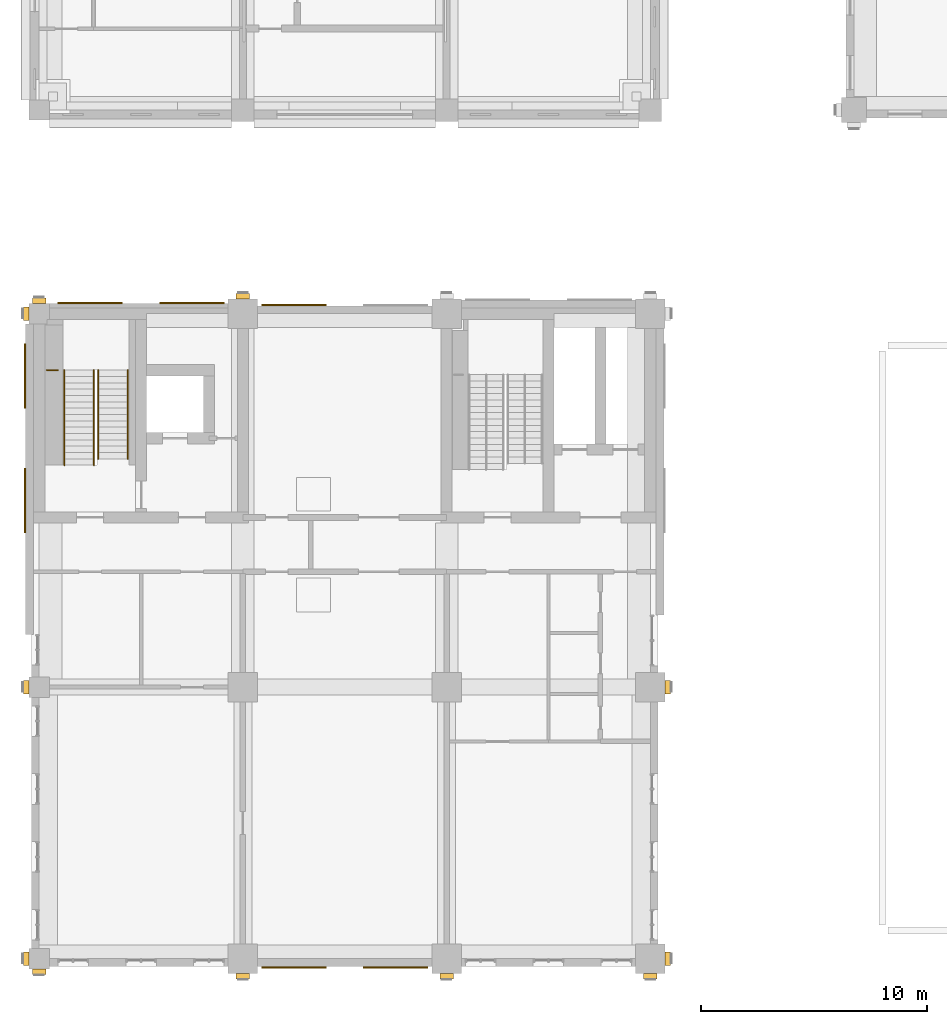
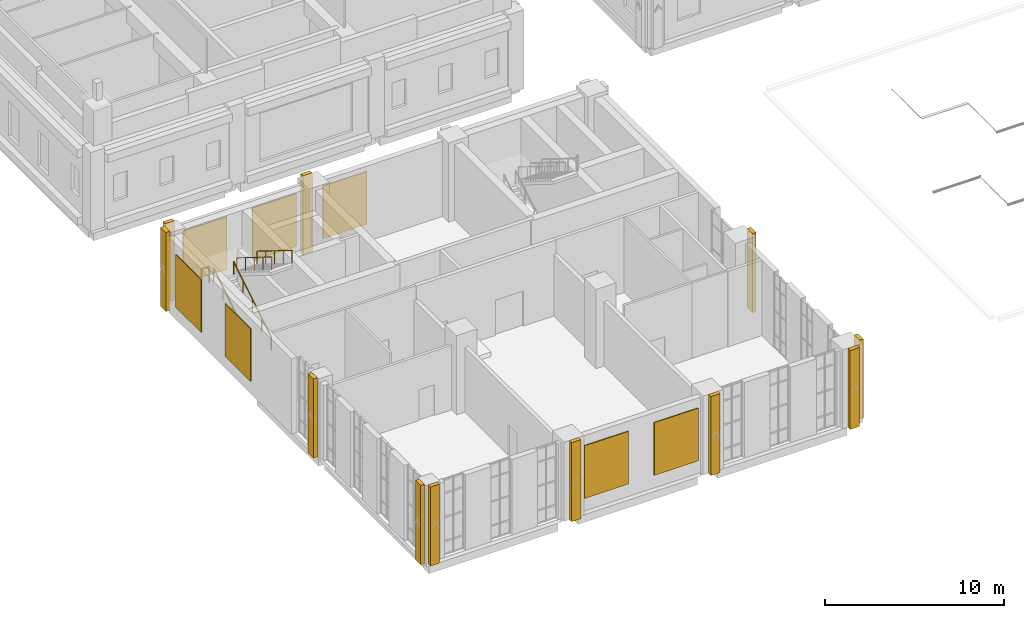
# One storey, part 27 of 37: 18 coverings, 5 railings.
"""IFC4 building model written with IfcOpenShell, lengths in metres."""

from ifc_helpers import new_model, si_unit, direction, frame, origin, origin_2d, place, context, subcontext, project, spatial, rectangle, circle, extrude, material, layer, layer_set, type_object, element, save


model = new_model("IFC4")

# Units and contexts
model_context = context("Model", 3, precision=1e-05, world=origin(), true_north=direction((0.0, 1.0)))
body_context = subcontext(model_context, "Body", "Model", "MODEL_VIEW")
ifc_project = project(units=[si_unit("LENGTHUNIT", "METRE"), si_unit("AREAUNIT", "SQUARE_METRE"), si_unit("VOLUMEUNIT", "CUBIC_METRE"), si_unit("PLANEANGLEUNIT", "RADIAN"), si_unit("MASSUNIT", "GRAM", prefix="KILO")], contexts=[model_context])

# Site, building, storey
site_placement = place(None, origin())
site = spatial("IfcSite", under=ifc_project, at=site_placement, CompositionType="ELEMENT")
building_placement = place(site_placement, origin())
building = spatial("IfcBuilding", under=site, at=building_placement, Name="Aurelan Courthouse", CompositionType="ELEMENT")
storey_placement = place(building_placement, frame((0.0, 0.0, 17.39990234375)))
storey = spatial("IfcBuildingStorey", under=building, at=storey_placement, Name="L03", CompositionType="ELEMENT", Elevation=17.39990234375)

# Coverings
ifc_material_1 = material(Name="Bronze sheet cladding")
ifc_layer = layer(ifc_material_1, 0.06005859375)
ifc_layer_set = layer_set([ifc_layer], Name="Bronze sheet cladding")
covering_type_1 = type_object("IfcCoveringType", Name="Courts' Floors blind bay 2850 x 3600", PredefinedType="CLADDING", material=ifc_layer_set)
for number, where, z_axis, x_axis, name in (
    (1, (11.25, -0.3798828125, 0.900146484375), (0.0, 0.0, 1.0), (1.0, 0.0, 0.0), "Blind bay BB-V5-L03-001"),
    (2, (15.75, -0.3798828125, 0.900146484375), (0.0, 0.0, 1.0), (1.0, 0.0, 0.0), "Blind bay BB-V5-L03-002"),
    (3, (2.25, 28.97998046875, 0.900146484375), (0.0, 0.0, 1.0), (1.0, 0.0, 0.0), "Blind bay BB-V5-L03-003"),
    (4, (6.75, 28.97998046875, 0.900146484375), (0.0, 0.0, 1.0), (1.0, 0.0, 0.0), "Blind bay BB-V5-L03-004"),
    (5, (11.25, 28.8798828125, 0.900146484375), (0.0, 0.0, 1.0), (1.0, 0.0, 0.0), "Blind bay BB-V5-L03-005"),
):
    element("IfcCovering", number, at=place(storey_placement, frame(where, z_axis=z_axis, x_axis=x_axis)), inside=storey, type_object=covering_type_1, Name=name, PredefinedType="CLADDING", context=body_context, shape_type="SweptSolid", body=[
        extrude(rectangle(XDim=2.85009765625, YDim=0.06005859375, at=origin_2d()), origin(), (0.0, 0.0, 1.0), 3.60009765625),
    ])
for number, where, z_axis, x_axis, name in (
    (6, (-0.6298828125, 20.25, 0.900146484375), (0.0, 0.0, 1.0), (1.0, 0.0, 0.0), "Blind bay BB-V5-L03-011"),
    (7, (-0.6298828125, 25.75, 0.900146484375), (0.0, 0.0, 1.0), (1.0, 0.0, 0.0), "Blind bay BB-V5-L03-012"),
):
    element("IfcCovering", number, at=place(storey_placement, frame(where, z_axis=z_axis, x_axis=x_axis)), inside=storey, type_object=covering_type_1, Name=name, PredefinedType="CLADDING", context=body_context, shape_type="SweptSolid", body=[
        extrude(rectangle(XDim=0.06005859375, YDim=2.85009765625, at=origin_2d()), origin(), (0.0, 0.0, 1.0), 3.60009765625),
    ])
ifc_material_2 = material(Name="Limestone cladding", Category="masonry")
covering_type_2 = type_object("IfcCoveringType", Name="Courts' Floors pilaster fin 600 x 250", PredefinedType="CLADDING", material=ifc_material_2)
for number, where, z_axis, x_axis, name in (
    (8, (0.0, -0.574951171875, 0.000244140625), (0.0, 0.0, 1.0), (1.0, 0.0, 0.0), "Pilaster fin FN-V5-015"),
    (9, (9.0, -0.77490234375, 0.000244140625), (0.0, 0.0, 1.0), (1.0, 0.0, 0.0), "Pilaster fin FN-V5-016"),
    (10, (18.0, -0.77490234375, 0.000244140625), (0.0, 0.0, 1.0), (1.0, 0.0, 0.0), "Pilaster fin FN-V5-017"),
    (11, (27.0, -0.77490234375, 0.000244140625), (0.0, 0.0, 1.0), (1.0, 0.0, 0.0), "Pilaster fin FN-V5-018"),
    (12, (0.0, 29.074951171875, 0.000244140625), (0.0, 0.0, 1.0), (1.0, 0.0, 0.0), "Pilaster fin FN-V5-019"),
    (13, (9.0, 29.27490234375, 0.000244140625), (0.0, 0.0, 1.0), (1.0, 0.0, 0.0), "Pilaster fin FN-V5-020"),
):
    element("IfcCovering", number, at=place(storey_placement, frame(where, z_axis=z_axis, x_axis=x_axis)), inside=storey, type_object=covering_type_2, Name=name, PredefinedType="CLADDING", context=body_context, shape_type="SweptSolid", body=[
        extrude(rectangle(XDim=0.60009765625, YDim=0.25, at=origin_2d()), origin(), (0.0, 0.0, 1.0), 5.39990234375),
    ])
for number, where, z_axis, x_axis, name in (
    (14, (27.77490234375, 0.0, 0.000244140625), (0.0, 0.0, 1.0), (1.0, 0.0, 0.0), "Pilaster fin FN-V5-023"),
    (15, (27.77490234375, 12.0, 0.000244140625), (0.0, 0.0, 1.0), (1.0, 0.0, 0.0), "Pilaster fin FN-V5-024"),
    (16, (-0.574951171875, 0.0, 0.000244140625), (0.0, 0.0, 1.0), (1.0, 0.0, 0.0), "Pilaster fin FN-V5-026"),
    (17, (-0.574951171875, 12.0, 0.000244140625), (0.0, 0.0, 1.0), (1.0, 0.0, 0.0), "Pilaster fin FN-V5-027"),
    (18, (-0.574951171875, 28.5, 0.000244140625), (0.0, 0.0, 1.0), (1.0, 0.0, 0.0), "Pilaster fin FN-V5-028"),
):
    element("IfcCovering", number, at=place(storey_placement, frame(where, z_axis=z_axis, x_axis=x_axis)), inside=storey, type_object=covering_type_2, Name=name, PredefinedType="CLADDING", context=body_context, shape_type="SweptSolid", body=[
        extrude(rectangle(XDim=0.25, YDim=0.60009765625, at=origin_2d()), origin(), (0.0, 0.0, 1.0), 5.39990234375),
    ])

# Railings
ifc_material_3 = material(Name="Steel S355", Category="steel")
railing_type_1 = type_object("IfcRailingType", Name="Stair guard 1100", PredefinedType="GUARDRAIL", material=ifc_material_3)
railing_placement = place(storey_placement, frame((0.830078125, 26.010009765625, 2.787109375)))
element("IfcRailing", 19, at=railing_placement, inside=storey, type_object=railing_type_1, Name="Guard ST-5B-L03-GL1", PredefinedType="GUARDRAIL", context=body_context, shape_type="SweptSolid", body=[
    extrude(circle(Radius=0.02392578125, at=origin_2d()), frame((0.0, 0.0, 1.076171875), z_axis=(-1.0, 0.0, 0.0), x_axis=(0.0, -1.0, 0.0)), (0.0, 0.0, 1.0), 0.5),
    extrude(circle(Radius=0.02099609375, at=origin_2d()), origin(), (0.0, 0.0, 1.0), 1.052001953125),
    extrude(circle(Radius=0.02099609375, at=origin_2d()), frame((-0.5, 0.0, 0.0)), (0.0, 0.0, 1.0), 1.052001953125),
])
railing_type_2 = type_object("IfcRailingType", Name="Stair handrail 900", PredefinedType="HANDRAIL", material=ifc_material_3)
for number, where, name in (
    (20, (1.110107421875, 21.81005859375, 0.17431640625), "Handrail ST-5B-L03-H1"),
    (21, (2.409912109375, 21.81005859375, 0.17431640625), "Handrail ST-5B-L03-H2"),
):
    element("IfcRailing", number, at=place(storey_placement, frame(where)), inside=storey, type_object=railing_type_2, Name=name, PredefinedType="HANDRAIL", context=body_context, shape_type="SweptSolid", body=[
        extrude(circle(Radius=0.02392578125, at=origin_2d()), frame((0.0, 0.0, 0.8759765625), z_axis=(0.0, 0.849102848233, 0.528227558088), x_axis=(-1.0, 0.0, 0.0)), (0.0, 0.0, 1.0), 4.9462890625),
        extrude(circle(Radius=0.02099609375, at=origin_2d()), origin(), (0.0, 0.0, 1.0), 0.851806640625),
        extrude(circle(Radius=0.02099609375, at=origin_2d()), frame((0.0, 1.050048828125, 0.6533203125)), (0.0, 0.0, 1.0), 0.851806640625),
        extrude(circle(Radius=0.02099609375, at=origin_2d()), frame((0.0, 2.10009765625, 1.306396484375)), (0.0, 0.0, 1.0), 0.851806640625),
        extrude(circle(Radius=0.02099609375, at=origin_2d()), frame((0.0, 3.14990234375, 1.95947265625)), (0.0, 0.0, 1.0), 0.851806640625),
        extrude(circle(Radius=0.02099609375, at=origin_2d()), frame((0.0, 4.199951171875, 2.61279296875)), (0.0, 0.0, 1.0), 0.851806640625),
    ])
for number, where, name in (
    (22, (2.610107421875, 26.010009765625, 2.96142578125), "Handrail ST-5B-L03-H3"),
    (23, (3.909912109375, 26.010009765625, 2.96142578125), "Handrail ST-5B-L03-H4"),
):
    element("IfcRailing", number, at=place(storey_placement, frame(where)), inside=storey, type_object=railing_type_2, Name=name, PredefinedType="HANDRAIL", context=body_context, shape_type="SweptSolid", body=[
        extrude(circle(Radius=0.02392578125, at=origin_2d()), frame((0.0, 0.0, 0.8759765625), z_axis=(0.0, -0.849089811655, 0.528248513243), x_axis=(1.0, 0.0, 0.0)), (0.0, 0.0, 1.0), 4.61669921875),
        extrude(circle(Radius=0.02099609375, at=origin_2d()), origin(), (0.0, 0.0, 1.0), 0.851806640625),
        extrude(circle(Radius=0.02099609375, at=origin_2d()), frame((0.0, -0.97998046875, 0.609619140625)), (0.0, 0.0, 1.0), 0.851806640625),
        extrude(circle(Radius=0.02099609375, at=origin_2d()), frame((0.0, -1.9599609375, 1.21923828125)), (0.0, 0.0, 1.0), 0.851806640625),
        extrude(circle(Radius=0.02099609375, at=origin_2d()), frame((0.0, -2.93994140625, 1.8291015625)), (0.0, 0.0, 1.0), 0.851806640625),
        extrude(circle(Radius=0.02099609375, at=origin_2d()), frame((0.0, -3.919921875, 2.438720703125)), (0.0, 0.0, 1.0), 0.851806640625),
    ])

save(model, "model.ifc")
